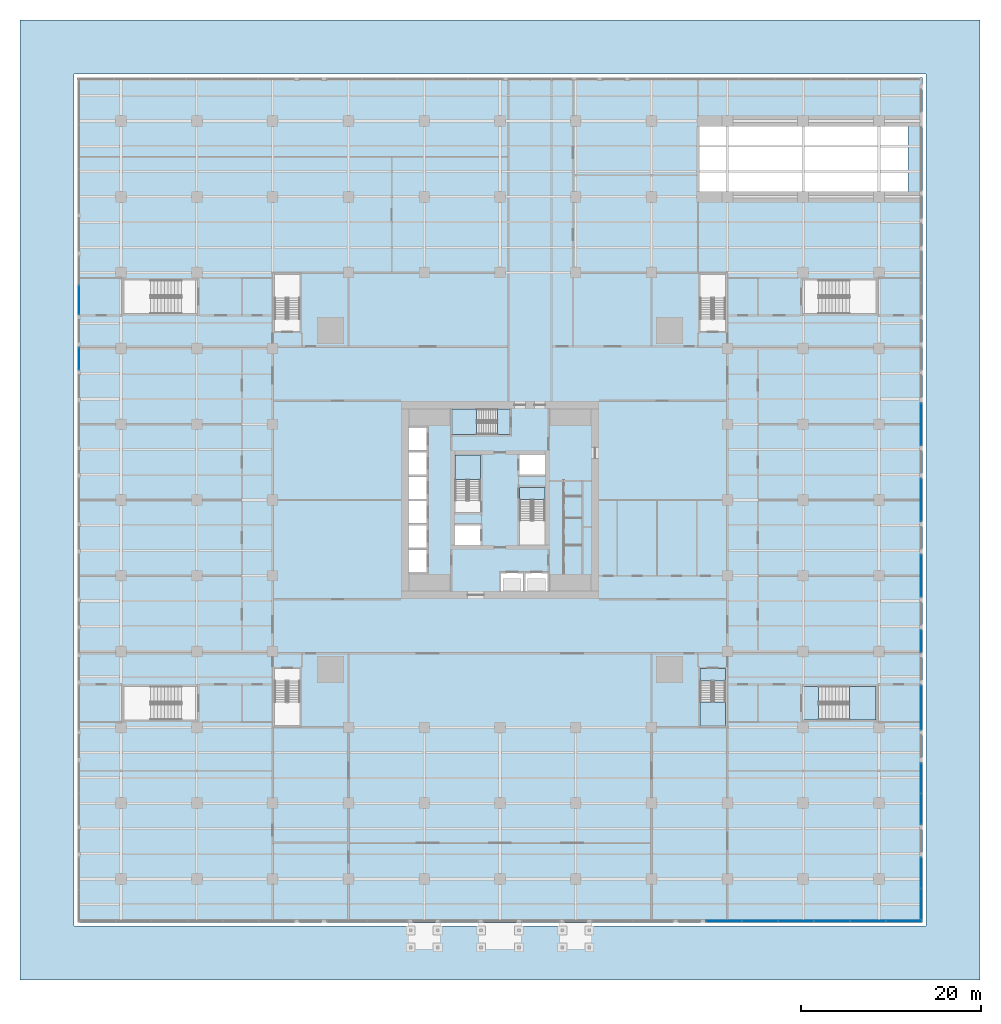
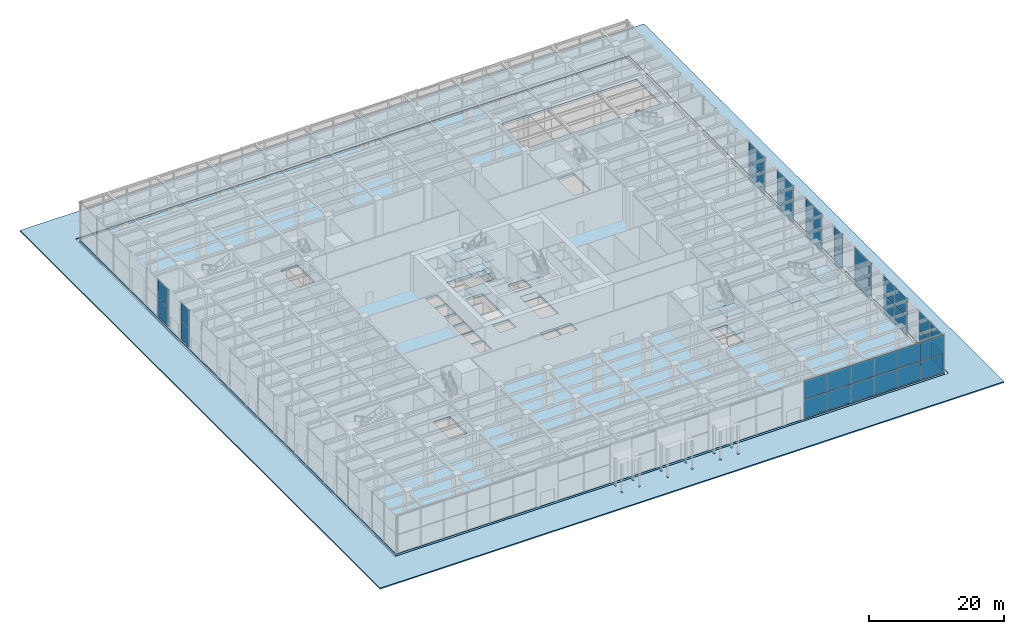
# One storey, part 25 of 43: 34 plates, 16 slabs, 15 elements without a shape of their own.
"""IFC4 building model written with IfcOpenShell, lengths in metres."""

from ifc_helpers import new_model, si_unit, direction, frame, origin, origin_2d, place, context, subcontext, project, spatial, polyline, rectangle, outline, extrude, material, layer, layer_set, type_object, element, aggregate, save


model = new_model("IFC4")

# Units and contexts
model_context = context("Model", 3, precision=1e-05, world=origin(), true_north=direction((0.0, 1.0)))
body_context = subcontext(model_context, "Body", "Model", "MODEL_VIEW")
ifc_project = project(units=[si_unit("LENGTHUNIT", "METRE"), si_unit("AREAUNIT", "SQUARE_METRE"), si_unit("VOLUMEUNIT", "CUBIC_METRE"), si_unit("PLANEANGLEUNIT", "RADIAN"), si_unit("MASSUNIT", "GRAM", prefix="KILO")], contexts=[model_context])

# Site, building, storey
site_placement = place(None, origin())
site = spatial("IfcSite", under=ifc_project, at=site_placement, CompositionType="ELEMENT")
building_placement = place(site_placement, origin())
building = spatial("IfcBuilding", under=site, at=building_placement, Name="Khepri Terraces", CompositionType="ELEMENT")
storey_placement = place(building_placement, origin())
storey = spatial("IfcBuildingStorey", under=building, at=storey_placement, Name="L00", CompositionType="ELEMENT", Elevation=0.0)

# Curtain wall, plates
ifc_material_1 = material(Name="Anodised aluminium bronze curtain wall", Category="aluminium")
curtain_wall_type = type_object("IfcCurtainWallType", Name="CW-SYS1-LOBBY", PredefinedType="NOTDEFINED", material=ifc_material_1)
curtain_wall_1_placement = place(storey_placement, origin())
curtain_wall_1 = element("IfcCurtainWall", 1, at=curtain_wall_1_placement, inside=storey, type_object=curtain_wall_type, Name="Curtain wall CW1 L00 E", PredefinedType="NOTDEFINED")
ifc_material_2 = material(Name="Clear glass", Category="glass")
ifc_layer_1 = layer(ifc_material_2, 0.028076171875, Name="Clear glass", Category="glass")
ifc_layer_set_1 = layer_set([ifc_layer_1], Name="Clear glass")
plate_type = type_object("IfcPlateType", Name="CW-PANEL-VISION-28", PredefinedType="CURTAIN_PANEL", material=ifc_layer_set_1)
plate_1_placement = place(storey_placement, frame((46.64990234375, -44.760009765625, 0.06005859375), z_axis=(0.0, 0.0, 1.0), x_axis=(0.0, 1.0, 0.0)))
plate_1 = element("IfcPlate", 2, at=plate_1_placement, type_object=plate_type, Name="CW1 panel 1.1", PredefinedType="CURTAIN_PANEL", context=body_context, shape_type="SweptSolid", body=[
    extrude(rectangle(XDim=3.360107421875, YDim=0.028076171875, at=origin_2d()), origin(), (0.0, 0.0, 1.0), 3.300048828125),
])
plate_2_placement = place(storey_placement, frame((46.64990234375, -44.760009765625, 3.419921875), z_axis=(0.0, 0.0, 1.0), x_axis=(0.0, 1.0, 0.0)))
plate_2 = element("IfcPlate", 3, at=plate_2_placement, type_object=plate_type, Name="CW1 panel 1.2", PredefinedType="CURTAIN_PANEL", context=body_context, shape_type="SweptSolid", body=[
    extrude(rectangle(XDim=3.360107421875, YDim=0.028076171875, at=origin_2d()), origin(), (0.0, 0.0, 1.0), 3.300048828125),
])
plate_3_placement = place(storey_placement, frame((46.64990234375, -41.340087890625, 0.06005859375), z_axis=(0.0, 0.0, 1.0), x_axis=(0.0, 1.0, 0.0)))
plate_3 = element("IfcPlate", 4, at=plate_3_placement, type_object=plate_type, Name="CW1 panel 2.1", PredefinedType="CURTAIN_PANEL", context=body_context, shape_type="SweptSolid", body=[
    extrude(rectangle(XDim=3.360107421875, YDim=0.028076171875, at=origin_2d()), origin(), (0.0, 0.0, 1.0), 3.300048828125),
])
plate_4_placement = place(storey_placement, frame((46.64990234375, -41.340087890625, 3.419921875), z_axis=(0.0, 0.0, 1.0), x_axis=(0.0, 1.0, 0.0)))
plate_4 = element("IfcPlate", 5, at=plate_4_placement, type_object=plate_type, Name="CW1 panel 2.2", PredefinedType="CURTAIN_PANEL", context=body_context, shape_type="SweptSolid", body=[
    extrude(rectangle(XDim=3.360107421875, YDim=0.028076171875, at=origin_2d()), origin(), (0.0, 0.0, 1.0), 3.300048828125),
])
aggregate(curtain_wall_1, [plate_1, plate_2, plate_3, plate_4])

curtain_wall_2_placement = place(storey_placement, origin())
curtain_wall_2 = element("IfcCurtainWall", 6, at=curtain_wall_2_placement, inside=storey, type_object=curtain_wall_type, Name="Curtain wall CW1 L00 E", PredefinedType="NOTDEFINED")
plate_5_placement = place(storey_placement, frame((46.64990234375, -34.260009765625, 0.06005859375), z_axis=(0.0, 0.0, 1.0), x_axis=(0.0, 1.0, 0.0)))
plate_5 = element("IfcPlate", 7, at=plate_5_placement, type_object=plate_type, Name="CW1 panel 1.1", PredefinedType="CURTAIN_PANEL", context=body_context, shape_type="SweptSolid", body=[
    extrude(rectangle(XDim=3.360107421875, YDim=0.028076171875, at=origin_2d()), origin(), (0.0, 0.0, 1.0), 3.300048828125),
])
plate_6_placement = place(storey_placement, frame((46.64990234375, -34.260009765625, 3.419921875), z_axis=(0.0, 0.0, 1.0), x_axis=(0.0, 1.0, 0.0)))
plate_6 = element("IfcPlate", 8, at=plate_6_placement, type_object=plate_type, Name="CW1 panel 1.2", PredefinedType="CURTAIN_PANEL", context=body_context, shape_type="SweptSolid", body=[
    extrude(rectangle(XDim=3.360107421875, YDim=0.028076171875, at=origin_2d()), origin(), (0.0, 0.0, 1.0), 3.300048828125),
])
plate_7_placement = place(storey_placement, frame((46.64990234375, -30.840087890625, 0.06005859375), z_axis=(0.0, 0.0, 1.0), x_axis=(0.0, 1.0, 0.0)))
plate_7 = element("IfcPlate", 9, at=plate_7_placement, type_object=plate_type, Name="CW1 panel 2.1", PredefinedType="CURTAIN_PANEL", context=body_context, shape_type="SweptSolid", body=[
    extrude(rectangle(XDim=3.360107421875, YDim=0.028076171875, at=origin_2d()), origin(), (0.0, 0.0, 1.0), 3.300048828125),
])
plate_8_placement = place(storey_placement, frame((46.64990234375, -30.840087890625, 3.419921875), z_axis=(0.0, 0.0, 1.0), x_axis=(0.0, 1.0, 0.0)))
plate_8 = element("IfcPlate", 10, at=plate_8_placement, type_object=plate_type, Name="CW1 panel 2.2", PredefinedType="CURTAIN_PANEL", context=body_context, shape_type="SweptSolid", body=[
    extrude(rectangle(XDim=3.360107421875, YDim=0.028076171875, at=origin_2d()), origin(), (0.0, 0.0, 1.0), 3.300048828125),
])
aggregate(curtain_wall_2, [plate_5, plate_6, plate_7, plate_8])

curtain_wall_3_placement = place(storey_placement, origin())
curtain_wall_3 = element("IfcCurtainWall", 11, at=curtain_wall_3_placement, inside=storey, type_object=curtain_wall_type, Name="Curtain wall CW1 L00 E", PredefinedType="NOTDEFINED")
plate_9_placement = place(storey_placement, frame((46.64990234375, -23.012451171875, 0.06005859375), z_axis=(0.0, 0.0, 1.0), x_axis=(0.0, 1.0, 0.0)))
plate_9 = element("IfcPlate", 12, at=plate_9_placement, type_object=plate_type, Name="CW1 panel 1.1", PredefinedType="CURTAIN_PANEL", context=body_context, shape_type="SweptSolid", body=[
    extrude(rectangle(XDim=4.85498046875, YDim=0.028076171875, at=origin_2d()), origin(), (0.0, 0.0, 1.0), 3.300048828125),
])
plate_10_placement = place(storey_placement, frame((46.64990234375, -23.012451171875, 3.419921875), z_axis=(0.0, 0.0, 1.0), x_axis=(0.0, 1.0, 0.0)))
plate_10 = element("IfcPlate", 13, at=plate_10_placement, type_object=plate_type, Name="CW1 panel 1.2", PredefinedType="CURTAIN_PANEL", context=body_context, shape_type="SweptSolid", body=[
    extrude(rectangle(XDim=4.85498046875, YDim=0.028076171875, at=origin_2d()), origin(), (0.0, 0.0, 1.0), 3.300048828125),
])
aggregate(curtain_wall_3, [plate_9, plate_10])

curtain_wall_4_placement = place(storey_placement, origin())
curtain_wall_4 = element("IfcCurtainWall", 14, at=curtain_wall_4_placement, inside=storey, type_object=curtain_wall_type, Name="Curtain wall CW1 L00 E", PredefinedType="NOTDEFINED")
plate_11_placement = place(storey_placement, frame((46.64990234375, -15.66259765625, 0.06005859375), z_axis=(0.0, 0.0, 1.0), x_axis=(0.0, 1.0, 0.0)))
plate_11 = element("IfcPlate", 15, at=plate_11_placement, type_object=plate_type, Name="CW1 panel 1.1", PredefinedType="CURTAIN_PANEL", context=body_context, shape_type="SweptSolid", body=[
    extrude(rectangle(XDim=2.405029296875, YDim=0.028076171875, at=origin_2d()), origin(), (0.0, 0.0, 1.0), 3.300048828125),
])
plate_12_placement = place(storey_placement, frame((46.64990234375, -15.66259765625, 3.419921875), z_axis=(0.0, 0.0, 1.0), x_axis=(0.0, 1.0, 0.0)))
plate_12 = element("IfcPlate", 16, at=plate_12_placement, type_object=plate_type, Name="CW1 panel 1.2", PredefinedType="CURTAIN_PANEL", context=body_context, shape_type="SweptSolid", body=[
    extrude(rectangle(XDim=2.405029296875, YDim=0.028076171875, at=origin_2d()), origin(), (0.0, 0.0, 1.0), 3.300048828125),
])
aggregate(curtain_wall_4, [plate_11, plate_12])

curtain_wall_5_placement = place(storey_placement, origin())
curtain_wall_5 = element("IfcCurtainWall", 17, at=curtain_wall_5_placement, inside=storey, type_object=curtain_wall_type, Name="Curtain wall CW1 L00 E", PredefinedType="NOTDEFINED")
plate_13_placement = place(storey_placement, frame((46.64990234375, -8.39990234375, 0.06005859375), z_axis=(0.0, 0.0, 1.0), x_axis=(0.0, 1.0, 0.0)))
plate_13 = element("IfcPlate", 18, at=plate_13_placement, type_object=plate_type, Name="CW1 panel 1.1", PredefinedType="CURTAIN_PANEL", context=body_context, shape_type="SweptSolid", body=[
    extrude(rectangle(XDim=4.679931640625, YDim=0.028076171875, at=origin_2d()), origin(), (0.0, 0.0, 1.0), 3.300048828125),
])
plate_14_placement = place(storey_placement, frame((46.64990234375, -8.39990234375, 3.419921875), z_axis=(0.0, 0.0, 1.0), x_axis=(0.0, 1.0, 0.0)))
plate_14 = element("IfcPlate", 19, at=plate_14_placement, type_object=plate_type, Name="CW1 panel 1.2", PredefinedType="CURTAIN_PANEL", context=body_context, shape_type="SweptSolid", body=[
    extrude(rectangle(XDim=4.679931640625, YDim=0.028076171875, at=origin_2d()), origin(), (0.0, 0.0, 1.0), 3.300048828125),
])
aggregate(curtain_wall_5, [plate_13, plate_14])

curtain_wall_6_placement = place(storey_placement, origin())
curtain_wall_6 = element("IfcCurtainWall", 20, at=curtain_wall_6_placement, inside=storey, type_object=curtain_wall_type, Name="Curtain wall CW1 L00 E", PredefinedType="NOTDEFINED")
plate_15_placement = place(storey_placement, frame((46.64990234375, 0.0, 0.06005859375), z_axis=(0.0, 0.0, 1.0), x_axis=(0.0, 1.0, 0.0)))
plate_15 = element("IfcPlate", 21, at=plate_15_placement, type_object=plate_type, Name="CW1 panel 1.1", PredefinedType="CURTAIN_PANEL", context=body_context, shape_type="SweptSolid", body=[
    extrude(rectangle(XDim=4.679931640625, YDim=0.028076171875, at=origin_2d()), origin(), (0.0, 0.0, 1.0), 3.300048828125),
])
plate_16_placement = place(storey_placement, frame((46.64990234375, 0.0, 3.419921875), z_axis=(0.0, 0.0, 1.0), x_axis=(0.0, 1.0, 0.0)))
plate_16 = element("IfcPlate", 22, at=plate_16_placement, type_object=plate_type, Name="CW1 panel 1.2", PredefinedType="CURTAIN_PANEL", context=body_context, shape_type="SweptSolid", body=[
    extrude(rectangle(XDim=4.679931640625, YDim=0.028076171875, at=origin_2d()), origin(), (0.0, 0.0, 1.0), 3.300048828125),
])
aggregate(curtain_wall_6, [plate_15, plate_16])

curtain_wall_7_placement = place(storey_placement, origin())
curtain_wall_7 = element("IfcCurtainWall", 23, at=curtain_wall_7_placement, inside=storey, type_object=curtain_wall_type, Name="Curtain wall CW1 L00 E", PredefinedType="NOTDEFINED")
plate_17_placement = place(storey_placement, frame((46.64990234375, 8.39990234375, 0.06005859375), z_axis=(0.0, 0.0, 1.0), x_axis=(0.0, 1.0, 0.0)))
plate_17 = element("IfcPlate", 24, at=plate_17_placement, type_object=plate_type, Name="CW1 panel 1.1", PredefinedType="CURTAIN_PANEL", context=body_context, shape_type="SweptSolid", body=[
    extrude(rectangle(XDim=4.679931640625, YDim=0.028076171875, at=origin_2d()), origin(), (0.0, 0.0, 1.0), 3.300048828125),
])
plate_18_placement = place(storey_placement, frame((46.64990234375, 8.39990234375, 3.419921875), z_axis=(0.0, 0.0, 1.0), x_axis=(0.0, 1.0, 0.0)))
plate_18 = element("IfcPlate", 25, at=plate_18_placement, type_object=plate_type, Name="CW1 panel 1.2", PredefinedType="CURTAIN_PANEL", context=body_context, shape_type="SweptSolid", body=[
    extrude(rectangle(XDim=4.679931640625, YDim=0.028076171875, at=origin_2d()), origin(), (0.0, 0.0, 1.0), 3.300048828125),
])
aggregate(curtain_wall_7, [plate_17, plate_18])

curtain_wall_8_placement = place(storey_placement, origin())
curtain_wall_8 = element("IfcCurtainWall", 26, at=curtain_wall_8_placement, inside=storey, type_object=curtain_wall_type, Name="Curtain wall CW1 L00 W", PredefinedType="NOTDEFINED")
plate_19_placement = place(storey_placement, frame((-46.64990234375, 22.15869140625, 0.06005859375), z_axis=(0.0, 0.0, 1.0), x_axis=(0.0, -1.0, 0.0)))
plate_19 = element("IfcPlate", 27, at=plate_19_placement, type_object=plate_type, Name="CW1 panel 2.1", PredefinedType="CURTAIN_PANEL", context=body_context, shape_type="SweptSolid", body=[
    extrude(rectangle(XDim=3.1474609375, YDim=0.028076171875, at=origin_2d()), origin(), (0.0, 0.0, 1.0), 3.300048828125),
])
plate_20_placement = place(storey_placement, frame((-46.64990234375, 22.15869140625, 3.419921875), z_axis=(0.0, 0.0, 1.0), x_axis=(0.0, -1.0, 0.0)))
plate_20 = element("IfcPlate", 28, at=plate_20_placement, type_object=plate_type, Name="CW1 panel 2.2", PredefinedType="CURTAIN_PANEL", context=body_context, shape_type="SweptSolid", body=[
    extrude(rectangle(XDim=3.1474609375, YDim=0.028076171875, at=origin_2d()), origin(), (0.0, 0.0, 1.0), 3.300048828125),
])
aggregate(curtain_wall_8, [plate_19, plate_20])

curtain_wall_9_placement = place(storey_placement, origin())
curtain_wall_9 = element("IfcCurtainWall", 29, at=curtain_wall_9_placement, inside=storey, type_object=curtain_wall_type, Name="Curtain wall CW1 L00 W", PredefinedType="NOTDEFINED")
plate_21_placement = place(storey_placement, frame((-46.64990234375, 15.66259765625, 0.06005859375), z_axis=(0.0, 0.0, 1.0), x_axis=(0.0, -1.0, 0.0)))
plate_21 = element("IfcPlate", 30, at=plate_21_placement, type_object=plate_type, Name="CW1 panel 1.1", PredefinedType="CURTAIN_PANEL", context=body_context, shape_type="SweptSolid", body=[
    extrude(rectangle(XDim=2.405029296875, YDim=0.028076171875, at=origin_2d()), origin(), (0.0, 0.0, 1.0), 3.300048828125),
])
plate_22_placement = place(storey_placement, frame((-46.64990234375, 15.66259765625, 3.419921875), z_axis=(0.0, 0.0, 1.0), x_axis=(0.0, -1.0, 0.0)))
plate_22 = element("IfcPlate", 31, at=plate_22_placement, type_object=plate_type, Name="CW1 panel 1.2", PredefinedType="CURTAIN_PANEL", context=body_context, shape_type="SweptSolid", body=[
    extrude(rectangle(XDim=2.405029296875, YDim=0.028076171875, at=origin_2d()), origin(), (0.0, 0.0, 1.0), 3.300048828125),
])
aggregate(curtain_wall_9, [plate_21, plate_22])

curtain_wall_10_placement = place(storey_placement, origin())
curtain_wall_10 = element("IfcCurtainWall", 32, at=curtain_wall_10_placement, inside=storey, type_object=curtain_wall_type, Name="Curtain wall CW1 L00 S", PredefinedType="NOTDEFINED")
plate_23_placement = place(storey_placement, frame((24.81494140625, -46.64990234375, 0.06005859375), z_axis=(0.0, 0.0, 1.0), x_axis=(1.0, 0.0, 0.0)))
plate_23 = element("IfcPlate", 33, at=plate_23_placement, type_object=plate_type, Name="CW1 panel 1.1", PredefinedType="CURTAIN_PANEL", context=body_context, shape_type="SweptSolid", body=[
    extrude(rectangle(XDim=3.909912109375, YDim=0.028076171875, at=origin_2d()), origin(), (0.0, 0.0, 1.0), 3.300048828125),
])
plate_24_placement = place(storey_placement, frame((24.81494140625, -46.64990234375, 3.419921875), z_axis=(0.0, 0.0, 1.0), x_axis=(1.0, 0.0, 0.0)))
plate_24 = element("IfcPlate", 34, at=plate_24_placement, type_object=plate_type, Name="CW1 panel 1.2", PredefinedType="CURTAIN_PANEL", context=body_context, shape_type="SweptSolid", body=[
    extrude(rectangle(XDim=3.909912109375, YDim=0.028076171875, at=origin_2d()), origin(), (0.0, 0.0, 1.0), 3.300048828125),
])
plate_25_placement = place(storey_placement, frame((28.800048828125, -46.64990234375, 0.06005859375), z_axis=(0.0, 0.0, 1.0), x_axis=(1.0, 0.0, 0.0)))
plate_25 = element("IfcPlate", 35, at=plate_25_placement, type_object=plate_type, Name="CW1 panel 2.1", PredefinedType="CURTAIN_PANEL", context=body_context, shape_type="SweptSolid", body=[
    extrude(rectangle(XDim=3.93994140625, YDim=0.028076171875, at=origin_2d()), origin(), (0.0, 0.0, 1.0), 3.300048828125),
])
plate_26_placement = place(storey_placement, frame((28.800048828125, -46.64990234375, 3.419921875), z_axis=(0.0, 0.0, 1.0), x_axis=(1.0, 0.0, 0.0)))
plate_26 = element("IfcPlate", 36, at=plate_26_placement, type_object=plate_type, Name="CW1 panel 2.2", PredefinedType="CURTAIN_PANEL", context=body_context, shape_type="SweptSolid", body=[
    extrude(rectangle(XDim=3.93994140625, YDim=0.028076171875, at=origin_2d()), origin(), (0.0, 0.0, 1.0), 3.300048828125),
])
plate_27_placement = place(storey_placement, frame((32.800048828125, -46.64990234375, 0.06005859375), z_axis=(0.0, 0.0, 1.0), x_axis=(1.0, 0.0, 0.0)))
plate_27 = element("IfcPlate", 37, at=plate_27_placement, type_object=plate_type, Name="CW1 panel 3.1", PredefinedType="CURTAIN_PANEL", context=body_context, shape_type="SweptSolid", body=[
    extrude(rectangle(XDim=3.93994140625, YDim=0.028076171875, at=origin_2d()), origin(), (0.0, 0.0, 1.0), 3.300048828125),
])
plate_28_placement = place(storey_placement, frame((32.800048828125, -46.64990234375, 3.419921875), z_axis=(0.0, 0.0, 1.0), x_axis=(1.0, 0.0, 0.0)))
plate_28 = element("IfcPlate", 38, at=plate_28_placement, type_object=plate_type, Name="CW1 panel 3.2", PredefinedType="CURTAIN_PANEL", context=body_context, shape_type="SweptSolid", body=[
    extrude(rectangle(XDim=3.93994140625, YDim=0.028076171875, at=origin_2d()), origin(), (0.0, 0.0, 1.0), 3.300048828125),
])
plate_29_placement = place(storey_placement, frame((36.800048828125, -46.64990234375, 0.06005859375), z_axis=(0.0, 0.0, 1.0), x_axis=(1.0, 0.0, 0.0)))
plate_29 = element("IfcPlate", 39, at=plate_29_placement, type_object=plate_type, Name="CW1 panel 4.1", PredefinedType="CURTAIN_PANEL", context=body_context, shape_type="SweptSolid", body=[
    extrude(rectangle(XDim=3.93994140625, YDim=0.028076171875, at=origin_2d()), origin(), (0.0, 0.0, 1.0), 3.300048828125),
])
plate_30_placement = place(storey_placement, frame((36.800048828125, -46.64990234375, 3.419921875), z_axis=(0.0, 0.0, 1.0), x_axis=(1.0, 0.0, 0.0)))
plate_30 = element("IfcPlate", 40, at=plate_30_placement, type_object=plate_type, Name="CW1 panel 4.2", PredefinedType="CURTAIN_PANEL", context=body_context, shape_type="SweptSolid", body=[
    extrude(rectangle(XDim=3.93994140625, YDim=0.028076171875, at=origin_2d()), origin(), (0.0, 0.0, 1.0), 3.300048828125),
])
plate_31_placement = place(storey_placement, frame((40.800048828125, -46.64990234375, 0.06005859375), z_axis=(0.0, 0.0, 1.0), x_axis=(1.0, 0.0, 0.0)))
plate_31 = element("IfcPlate", 41, at=plate_31_placement, type_object=plate_type, Name="CW1 panel 5.1", PredefinedType="CURTAIN_PANEL", context=body_context, shape_type="SweptSolid", body=[
    extrude(rectangle(XDim=3.93994140625, YDim=0.028076171875, at=origin_2d()), origin(), (0.0, 0.0, 1.0), 3.300048828125),
])
plate_32_placement = place(storey_placement, frame((40.800048828125, -46.64990234375, 3.419921875), z_axis=(0.0, 0.0, 1.0), x_axis=(1.0, 0.0, 0.0)))
plate_32 = element("IfcPlate", 42, at=plate_32_placement, type_object=plate_type, Name="CW1 panel 5.2", PredefinedType="CURTAIN_PANEL", context=body_context, shape_type="SweptSolid", body=[
    extrude(rectangle(XDim=3.93994140625, YDim=0.028076171875, at=origin_2d()), origin(), (0.0, 0.0, 1.0), 3.300048828125),
])
plate_33_placement = place(storey_placement, frame((44.784912109375, -46.64990234375, 0.06005859375), z_axis=(0.0, 0.0, 1.0), x_axis=(1.0, 0.0, 0.0)))
plate_33 = element("IfcPlate", 43, at=plate_33_placement, type_object=plate_type, Name="CW1 panel 6.1", PredefinedType="CURTAIN_PANEL", context=body_context, shape_type="SweptSolid", body=[
    extrude(rectangle(XDim=3.909912109375, YDim=0.028076171875, at=origin_2d()), origin(), (0.0, 0.0, 1.0), 3.300048828125),
])
plate_34_placement = place(storey_placement, frame((44.784912109375, -46.64990234375, 3.419921875), z_axis=(0.0, 0.0, 1.0), x_axis=(1.0, 0.0, 0.0)))
plate_34 = element("IfcPlate", 44, at=plate_34_placement, type_object=plate_type, Name="CW1 panel 6.2", PredefinedType="CURTAIN_PANEL", context=body_context, shape_type="SweptSolid", body=[
    extrude(rectangle(XDim=3.909912109375, YDim=0.028076171875, at=origin_2d()), origin(), (0.0, 0.0, 1.0), 3.300048828125),
])
aggregate(curtain_wall_10, [plate_23, plate_24, plate_25, plate_26, plate_27, plate_28, plate_29, plate_30, plate_31, plate_32, plate_33, plate_34])

# Slab
ifc_material_3 = material(Name="Concrete C40/50", Category="concrete")
ifc_layer_2 = layer(ifc_material_3, 0.419921875, Name="Concrete C40/50", Category="concrete")
ifc_layer_set_2 = layer_set([ifc_layer_2], Name="Concrete C40/50")
slab_type_1 = type_object("IfcSlabType", Name="Ground floor slab 420", PredefinedType="FLOOR", material=ifc_layer_set_2)
slab_1_placement = place(storey_placement, frame((0.0, 0.0, -0.419921875)))
element("IfcSlab", 45, at=slab_1_placement, inside=storey, type_object=slab_type_1, Name="Floor slab F01 L00", PredefinedType="FLOOR", context=body_context, shape_type="SweptSolid", body=[
    extrude(outline(polyline([(-46.800048828125, 46.800048828125), (46.800048828125, 46.800048828125), (46.800048828125, -46.800048828125), (-46.800048828125, -46.800048828125), (-46.800048828125, 46.800048828125)]), holes=[polyline([(2.14990234375, 5.0), (2.14990234375, 2.800048828125), (5.0, 2.800048828125), (5.0, 5.0), (2.14990234375, 5.0)]), polyline([(-2.14990234375, -2.800048828125), (-5.0, -2.800048828125), (-5.0, -5.0), (-2.14990234375, -5.0), (-2.14990234375, -2.800048828125)]), polyline([(-8.10009765625, -8.0), (-8.10009765625, -5.5), (-10.10009765625, -5.5), (-10.10009765625, -8.0), (-8.10009765625, -8.0)]), polyline([(-10.10009765625, -5.300048828125), (-8.10009765625, -5.300048828125), (-8.10009765625, -2.800048828125), (-10.10009765625, -2.800048828125), (-10.10009765625, -5.300048828125)]), polyline([(-10.10009765625, -0.10009765625), (-10.10009765625, -2.60009765625), (-8.10009765625, -2.60009765625), (-8.10009765625, -0.10009765625), (-10.10009765625, -0.10009765625)]), polyline([(-8.10009765625, 2.60009765625), (-10.10009765625, 2.60009765625), (-10.10009765625, 0.10009765625), (-8.10009765625, 0.10009765625), (-8.10009765625, 2.60009765625)]), polyline([(-8.10009765625, 2.800048828125), (-8.10009765625, 5.300048828125), (-10.10009765625, 5.300048828125), (-10.10009765625, 2.800048828125), (-8.10009765625, 2.800048828125)]), polyline([(-10.10009765625, 5.5), (-8.10009765625, 5.5), (-8.10009765625, 8.0), (-10.10009765625, 8.0), (-10.10009765625, 5.5)]), polyline([(0.10009765625, -8.10009765625), (0.10009765625, -10.10009765625), (2.60009765625, -10.10009765625), (2.60009765625, -8.10009765625), (0.10009765625, -8.10009765625)]), polyline([(5.300048828125, -8.10009765625), (2.800048828125, -8.10009765625), (2.800048828125, -10.10009765625), (5.300048828125, -10.10009765625), (5.300048828125, -8.10009765625)]), polyline([(-2.14990234375, -1.39990234375), (-2.14990234375, 5.0), (-5.0, 5.0), (-5.0, -1.39990234375), (-2.14990234375, -1.39990234375)]), polyline([(5.0, 1.39990234375), (2.14990234375, 1.39990234375), (2.14990234375, -5.0), (5.0, -5.0), (5.0, 1.39990234375)]), polyline([(-5.300048828125, 7.25), (1.10009765625, 7.25), (1.10009765625, 10.10009765625), (-5.300048828125, 10.10009765625), (-5.300048828125, 7.25)]), polyline([(22.14990234375, 20.050537109375), (25.0, 20.050537109375), (25.0, 25.0400390625), (22.14990234375, 25.0400390625), (22.14990234375, 20.050537109375)]), polyline([(-25.0, 25.0400390625), (-25.0, 20.050537109375), (-22.14990234375, 20.050537109375), (-22.14990234375, 25.0400390625), (-25.0, 25.0400390625)]), polyline([(22.14990234375, -25.0400390625), (25.0, -25.0400390625), (25.0, -20.050537109375), (22.14990234375, -20.050537109375), (22.14990234375, -25.0400390625)]), polyline([(-25.0, -20.050537109375), (-25.0, -25.0400390625), (-22.14990234375, -25.0400390625), (-22.14990234375, -20.050537109375), (-25.0, -20.050537109375)]), polyline([(45.199951171875, 41.39990234375), (22.10009765625, 41.39990234375), (22.10009765625, 34.199951171875), (45.199951171875, 34.199951171875), (45.199951171875, 41.39990234375)])]), origin(), (0.0, 0.0, 1.0), 0.419921875),
])

# Stair, slabs
stair_type_1 = type_object("IfcStairType", Name="ST-POD", PredefinedType="HALF_TURN_STAIR", material=ifc_material_3)
stair_1_placement = place(storey_placement, origin())
stair_1 = element("IfcStair", 46, at=stair_1_placement, inside=storey, type_object=stair_type_1, Name="L00 Exit Stair PS-3", PredefinedType="HALF_TURN_STAIR")
ifc_layer_3 = layer(ifc_material_3, 0.199951171875, Name="Concrete C40/50", Category="concrete")
ifc_layer_set_3 = layer_set([ifc_layer_3], Name="Concrete C40/50")
slab_type_2 = type_object("IfcSlabType", Name="SL-POD", PredefinedType="LANDING", material=ifc_layer_set_3)
slab_2_placement = place(storey_placement, frame((0.0, 0.0, 1.60009765625)))
slab_2 = element("IfcSlab", 47, at=slab_2_placement, type_object=slab_type_2, Name="PS-3 landing 1", PredefinedType="LANDING", context=body_context, shape_type="SweptSolid", body=[
    extrude(outline(polyline([(22.14990234375, -22.389892578125), (22.14990234375, -25.0400390625), (25.0, -25.0400390625), (25.0, -22.389892578125), (22.14990234375, -22.389892578125)])), origin(), (0.0, 0.0, 1.0), 0.199951171875),
])
slab_3_placement = place(storey_placement, frame((0.0, 0.0, 3.39990234375)))
slab_3 = element("IfcSlab", 48, at=slab_3_placement, type_object=slab_type_2, Name="PS-3 landing 2", PredefinedType="LANDING", context=body_context, shape_type="SweptSolid", body=[
    extrude(outline(polyline([(22.14990234375, -18.699951171875), (22.14990234375, -20.050048828125), (25.0, -20.050048828125), (25.0, -18.699951171875), (22.14990234375, -18.699951171875)])), origin(), (0.0, 0.0, 1.0), 0.2001953125),
])
slab_4_placement = place(storey_placement, frame((0.0, 0.0, 5.199951171875)))
slab_4 = element("IfcSlab", 49, at=slab_4_placement, type_object=slab_type_2, Name="PS-3 landing 3", PredefinedType="LANDING", context=body_context, shape_type="SweptSolid", body=[
    extrude(outline(polyline([(22.14990234375, -22.389892578125), (22.14990234375, -25.0400390625), (25.0, -25.0400390625), (25.0, -22.389892578125), (22.14990234375, -22.389892578125)])), origin(), (0.0, 0.0, 1.0), 0.199951171875),
])
aggregate(stair_1, [slab_2, slab_3, slab_4])

stair_2_placement = place(storey_placement, origin())
stair_2 = element("IfcStair", 50, at=stair_2_placement, inside=storey, type_object=stair_type_1, Name="L00 Exit Stair PS-8", PredefinedType="HALF_TURN_STAIR")
slab_5_placement = place(storey_placement, frame((0.0, 0.0, 1.60009765625)))
slab_5 = element("IfcSlab", 51, at=slab_5_placement, type_object=slab_type_2, Name="PS-8 landing 1", PredefinedType="LANDING", context=body_context, shape_type="SweptSolid", body=[
    extrude(outline(polyline([(38.719970703125, -24.39990234375), (41.699951171875, -24.39990234375), (41.699951171875, -20.64990234375), (38.719970703125, -20.64990234375), (38.719970703125, -24.39990234375)])), origin(), (0.0, 0.0, 1.0), 0.199951171875),
])
slab_6_placement = place(storey_placement, frame((0.0, 0.0, 3.39990234375)))
slab_6 = element("IfcSlab", 52, at=slab_6_placement, type_object=slab_type_2, Name="PS-8 landing 2", PredefinedType="LANDING", context=body_context, shape_type="SweptSolid", body=[
    extrude(outline(polyline([(33.5, -24.39990234375), (35.300048828125, -24.39990234375), (35.300048828125, -20.64990234375), (33.5, -20.64990234375), (33.5, -24.39990234375)])), origin(), (0.0, 0.0, 1.0), 0.2001953125),
])
slab_7_placement = place(storey_placement, frame((0.0, 0.0, 5.199951171875)))
slab_7 = element("IfcSlab", 53, at=slab_7_placement, type_object=slab_type_2, Name="PS-8 landing 3", PredefinedType="LANDING", context=body_context, shape_type="SweptSolid", body=[
    extrude(outline(polyline([(38.719970703125, -24.39990234375), (41.699951171875, -24.39990234375), (41.699951171875, -20.64990234375), (38.719970703125, -20.64990234375), (38.719970703125, -24.39990234375)])), origin(), (0.0, 0.0, 1.0), 0.199951171875),
])
aggregate(stair_2, [slab_5, slab_6, slab_7])

stair_type_2 = type_object("IfcStairType", Name="STAIR-RC-40R", PredefinedType="HALF_TURN_STAIR", material=ifc_material_3)
stair_3_placement = place(storey_placement, origin())
stair_3 = element("IfcStair", 54, at=stair_3_placement, inside=storey, type_object=stair_type_2, Name="L00 Exit Stair ST-1", PredefinedType="HALF_TURN_STAIR")
ifc_layer_4 = layer(ifc_material_3, 0.199951171875, Name="Concrete C40/50", Category="concrete")
ifc_layer_set_4 = layer_set([ifc_layer_4], Name="Concrete C40/50")
slab_type_3 = type_object("IfcSlabType", Name="SLB-CORE-LANDING", PredefinedType="LANDING", material=ifc_layer_set_4)
slab_8_placement = place(storey_placement, frame((0.0, 0.0, 1.60009765625)))
slab_8 = element("IfcSlab", 55, at=slab_8_placement, type_object=slab_type_3, Name="ST-1 landing 2", PredefinedType="LANDING", context=body_context, shape_type="SweptSolid", body=[
    extrude(outline(polyline([(-2.14990234375, 2.2900390625), (-2.14990234375, 5.0), (-5.0, 5.0), (-5.0, 2.2900390625), (-2.14990234375, 2.2900390625)])), origin(), (0.0, 0.0, 1.0), 0.199951171875),
])
slab_9_placement = place(storey_placement, frame((0.0, 0.0, 5.199951171875)))
slab_9 = element("IfcSlab", 56, at=slab_9_placement, type_object=slab_type_3, Name="ST-1 landing 4", PredefinedType="LANDING", context=body_context, shape_type="SweptSolid", body=[
    extrude(outline(polyline([(-2.14990234375, 2.2900390625), (-2.14990234375, 5.0), (-5.0, 5.0), (-5.0, 2.2900390625), (-2.14990234375, 2.2900390625)])), origin(), (0.0, 0.0, 1.0), 0.199951171875),
])
aggregate(stair_3, [slab_8, slab_9])

stair_4_placement = place(storey_placement, origin())
stair_4 = element("IfcStair", 57, at=stair_4_placement, inside=storey, type_object=stair_type_2, Name="L00 Exit Stair ST-2", PredefinedType="HALF_TURN_STAIR")
slab_10_placement = place(storey_placement, frame((0.0, 0.0, -0.199951171875)))
slab_10 = element("IfcSlab", 58, at=slab_10_placement, type_object=slab_type_3, Name="ST-2 landing 1", PredefinedType="LANDING", context=body_context, shape_type="SweptSolid", body=[
    extrude(outline(polyline([(2.14990234375, 1.39990234375), (2.14990234375, 0.050048828125), (5.0, 0.050048828125), (5.0, 1.39990234375), (2.14990234375, 1.39990234375)])), origin(), (0.0, 0.0, 1.0), 0.199951171875),
])
slab_11_placement = place(storey_placement, frame((0.0, 0.0, 3.39990234375)))
slab_11 = element("IfcSlab", 59, at=slab_11_placement, type_object=slab_type_3, Name="ST-2 landing 3", PredefinedType="LANDING", context=body_context, shape_type="SweptSolid", body=[
    extrude(outline(polyline([(2.14990234375, 1.39990234375), (2.14990234375, 0.050048828125), (5.0, 0.050048828125), (5.0, 1.39990234375), (2.14990234375, 1.39990234375)])), origin(), (0.0, 0.0, 1.0), 0.2001953125),
])
aggregate(stair_4, [slab_10, slab_11])

stair_5_placement = place(storey_placement, origin())
stair_5 = element("IfcStair", 60, at=stair_5_placement, inside=storey, type_object=stair_type_2, Name="L00 Exit Stair ST-3", PredefinedType="HALF_TURN_STAIR")
slab_12_placement = place(storey_placement, frame((0.0, 0.0, -0.199951171875)))
slab_12 = element("IfcSlab", 61, at=slab_12_placement, type_object=slab_type_3, Name="ST-3 landing 1", PredefinedType="LANDING", context=body_context, shape_type="SweptSolid", body=[
    extrude(outline(polyline([(1.10009765625, 10.10009765625), (-0.25, 10.10009765625), (-0.25, 7.25), (1.10009765625, 7.25), (1.10009765625, 10.10009765625)])), origin(), (0.0, 0.0, 1.0), 0.199951171875),
])
slab_13_placement = place(storey_placement, frame((0.0, 0.0, 1.60009765625)))
slab_13 = element("IfcSlab", 62, at=slab_13_placement, type_object=slab_type_3, Name="ST-3 landing 2", PredefinedType="LANDING", context=body_context, shape_type="SweptSolid", body=[
    extrude(outline(polyline([(-2.590087890625, 10.10009765625), (-5.300048828125, 10.10009765625), (-5.300048828125, 7.25), (-2.590087890625, 7.25), (-2.590087890625, 10.10009765625)])), origin(), (0.0, 0.0, 1.0), 0.199951171875),
])
slab_14_placement = place(storey_placement, frame((0.0, 0.0, 3.39990234375)))
slab_14 = element("IfcSlab", 63, at=slab_14_placement, type_object=slab_type_3, Name="ST-3 landing 3", PredefinedType="LANDING", context=body_context, shape_type="SweptSolid", body=[
    extrude(outline(polyline([(1.10009765625, 10.10009765625), (-0.25, 10.10009765625), (-0.25, 7.25), (1.10009765625, 7.25), (1.10009765625, 10.10009765625)])), origin(), (0.0, 0.0, 1.0), 0.2001953125),
])
slab_15_placement = place(storey_placement, frame((0.0, 0.0, 5.199951171875)))
slab_15 = element("IfcSlab", 64, at=slab_15_placement, type_object=slab_type_3, Name="ST-3 landing 4", PredefinedType="LANDING", context=body_context, shape_type="SweptSolid", body=[
    extrude(outline(polyline([(-2.590087890625, 10.10009765625), (-5.300048828125, 10.10009765625), (-5.300048828125, 7.25), (-2.590087890625, 7.25), (-2.590087890625, 10.10009765625)])), origin(), (0.0, 0.0, 1.0), 0.199951171875),
])
aggregate(stair_5, [slab_12, slab_13, slab_14, slab_15])

# Slab
ifc_material_4 = material(Name="Stone paving", Category="masonry")
ifc_layer_5 = layer(ifc_material_4, 0.199951171875, Name="Stone paving", Category="masonry")
ifc_layer_set_5 = layer_set([ifc_layer_5], Name="Stone paving")
slab_type_4 = type_object("IfcSlabType", Name="SLB-PAVING-STONE-200", PredefinedType="USERDEFINED", material=ifc_layer_set_5)
slab_16_placement = place(storey_placement, frame((0.0, 0.0, -0.199951171875)))
element("IfcSlab", 65, at=slab_16_placement, inside=storey, type_object=slab_type_4, Name="Forecourt paving", ObjectType="PAVING", PredefinedType="USERDEFINED", context=body_context, shape_type="SweptSolid", body=[
    extrude(outline(polyline([(-53.199951171875, 53.199951171875), (-53.199951171875, -53.199951171875), (53.199951171875, -53.199951171875), (53.199951171875, 53.199951171875), (-53.199951171875, 53.199951171875)]), holes=[polyline([(-47.199951171875, 47.199951171875), (-47.199951171875, -47.199951171875), (47.199951171875, -47.199951171875), (47.199951171875, 47.199951171875), (-47.199951171875, 47.199951171875)]), polyline([(-10.050048828125, -49.449951171875), (-10.050048828125, -49.75), (-9.75, -49.75), (-9.75, -49.449951171875), (-10.050048828125, -49.449951171875)]), polyline([(-6.75, -49.449951171875), (-7.050048828125, -49.449951171875), (-7.050048828125, -49.75), (-6.75, -49.75), (-6.75, -49.449951171875)]), polyline([(-1.949951171875, -49.449951171875), (-2.25, -49.449951171875), (-2.25, -49.75), (-1.949951171875, -49.75), (-1.949951171875, -49.449951171875)]), polyline([(-10.050048828125, -47.550048828125), (-10.050048828125, -47.85009765625), (-9.75, -47.85009765625), (-9.75, -47.550048828125), (-10.050048828125, -47.550048828125)]), polyline([(-6.75, -47.550048828125), (-7.050048828125, -47.550048828125), (-7.050048828125, -47.85009765625), (-6.75, -47.85009765625), (-6.75, -47.550048828125)]), polyline([(-1.949951171875, -47.550048828125), (-2.25, -47.550048828125), (-2.25, -47.85009765625), (-1.949951171875, -47.85009765625), (-1.949951171875, -47.550048828125)]), polyline([(1.949951171875, -49.449951171875), (1.949951171875, -49.75), (2.25, -49.75), (2.25, -49.449951171875), (1.949951171875, -49.449951171875)]), polyline([(7.050048828125, -49.449951171875), (6.75, -49.449951171875), (6.75, -49.75), (7.050048828125, -49.75), (7.050048828125, -49.449951171875)]), polyline([(10.050048828125, -49.449951171875), (9.75, -49.449951171875), (9.75, -49.75), (10.050048828125, -49.75), (10.050048828125, -49.449951171875)]), polyline([(1.949951171875, -47.550048828125), (1.949951171875, -47.85009765625), (2.25, -47.85009765625), (2.25, -47.550048828125), (1.949951171875, -47.550048828125)]), polyline([(7.050048828125, -47.550048828125), (6.75, -47.550048828125), (6.75, -47.85009765625), (7.050048828125, -47.85009765625), (7.050048828125, -47.550048828125)]), polyline([(10.050048828125, -47.550048828125), (9.75, -47.550048828125), (9.75, -47.85009765625), (10.050048828125, -47.85009765625), (10.050048828125, -47.550048828125)])]), origin(), (0.0, 0.0, 1.0), 0.199951171875),
])

save(model, "model.ifc")
